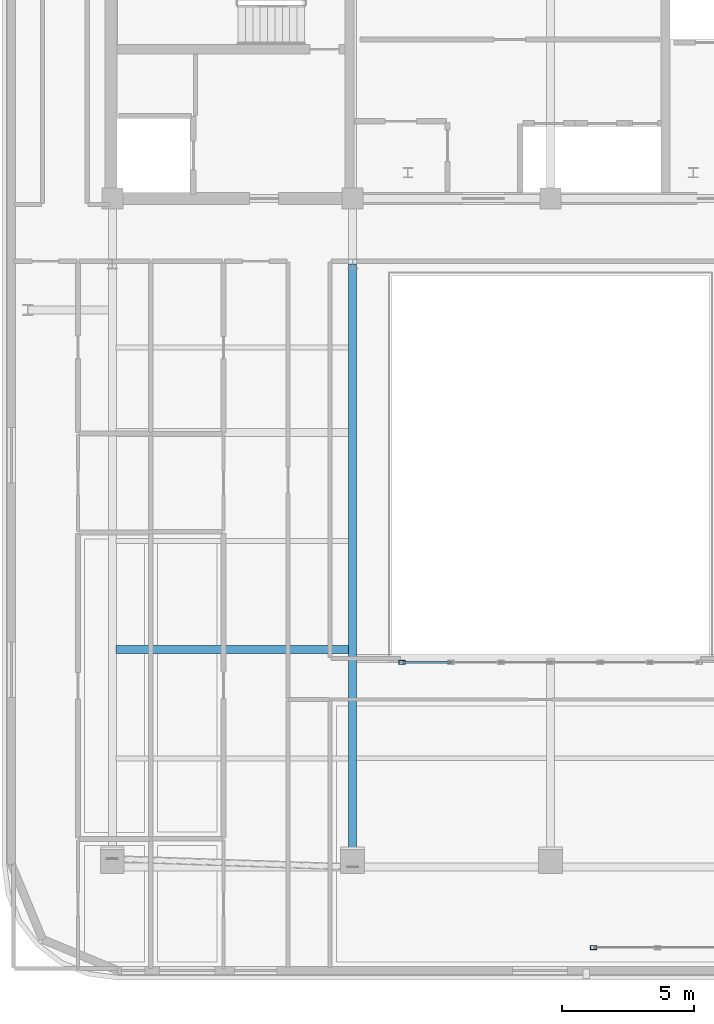
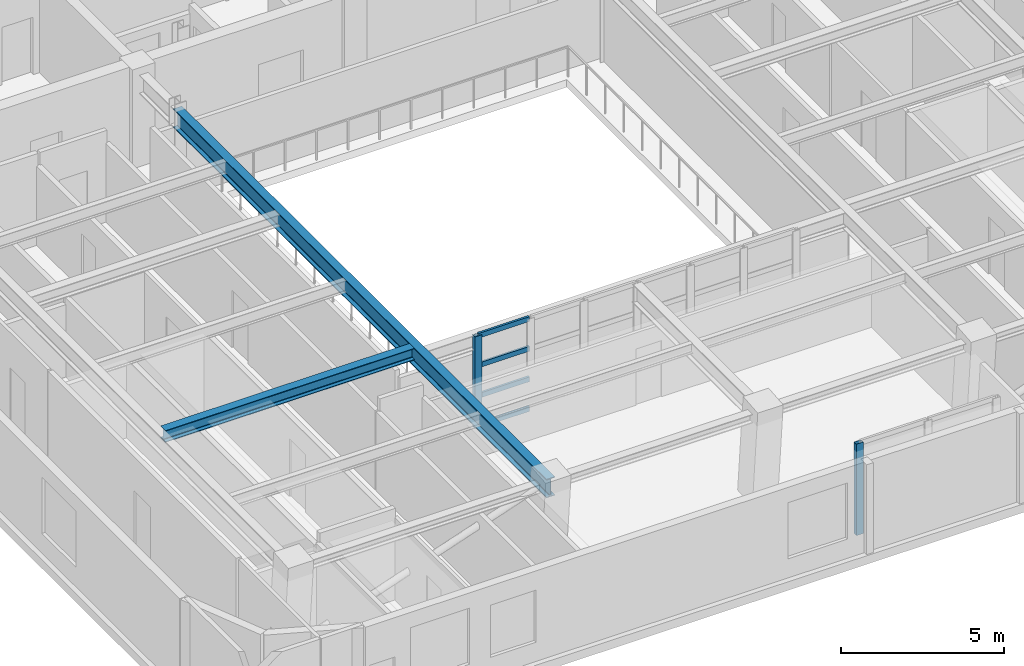
# One storey, part 2 of 14: 6 members, 2 beams, 2 elements without a shape of their own.
"""IFC4 building model written with IfcOpenShell, lengths in metres."""

import ifcopenshell
import ifcopenshell.guid

model = None  # the IFC model being written
_history = None  # IfcOwnerHistory: only IFC2X3 demands one
_inside = {}  # id of a spatial element -> (the spatial element, [elements in it])
_under = {}  # id of a project, library or spatial element -> (it, [spatial elements below it])
_declared = {}  # id of a project -> (the project, [libraries it declares])
_typed = {}  # id of a type object -> (the type object, [elements of that type])
_made_of = {}  # id of a material, layer set ... -> (it, [elements and type objects made of it])


def new_model(schema):
    """Start an empty IFC model of exactly this schema.

    Asked for "IFC4X3", IfcOpenShell would pick the latest addendum, in which some entities
    have other attributes; the version numbers below select the first issue.
    IFC2X3 requires an IfcOwnerHistory on every rooted entity: one is made here for all.
    """
    global model, _history
    if schema == "IFC4X3":
        model = ifcopenshell.file(schema_version=(4, 3, 0, 0))
    else:
        model = ifcopenshell.file(schema=schema)
    _inside.clear()
    _under.clear()
    _declared.clear()
    _typed.clear()
    _made_of.clear()
    _history = None
    if model.schema == "IFC2X3":
        org = make("IfcOrganization", Name="unknown")
        user = make(
            "IfcPersonAndOrganization",
            ThePerson=make("IfcPerson", FamilyName="unknown"),
            TheOrganization=org,
        )
        app = make(
            "IfcApplication",
            ApplicationDeveloper=org,
            Version="unknown",
            ApplicationFullName="unknown",
            ApplicationIdentifier="unknown",
        )
        _history = make(
            "IfcOwnerHistory",
            OwningUser=user,
            OwningApplication=app,
            ChangeAction="ADDED",
            CreationDate=0,
        )
    return model


def make(cls, **values):
    """One entity of the class cls with the attributes given. An attribute that is None is left unset."""
    return model.create_entity(
        cls, **{name: value for name, value in values.items() if value is not None}
    )


def rooted(cls, **values):
    """An entity with a GlobalId (a new one), such as an element, a storey or a relation."""
    return make(cls, GlobalId=ifcopenshell.guid.new(), OwnerHistory=_history, **values)


def si_unit(unit_type, name, prefix=None):
    """IfcSIUnit, for example si_unit("LENGTHUNIT", "METRE", prefix="MILLI")."""
    return make("IfcSIUnit", UnitType=unit_type, Prefix=prefix, Name=name)


def assignment(units):
    """IfcUnitAssignment: the units of a project."""
    return None if units is None else make("IfcUnitAssignment", Units=units)


def point(xyz):
    """IfcCartesianPoint."""
    return None if xyz is None else make("IfcCartesianPoint", Coordinates=xyz)


def direction(xyz):
    """IfcDirection."""
    return None if xyz is None else make("IfcDirection", DirectionRatios=xyz)


def frame(location, z_axis=None, x_axis=None):
    """IfcAxis2Placement3D, a coordinate frame: its origin and axes. An axis left out is left unset."""
    return make(
        "IfcAxis2Placement3D",
        Location=point(location),
        Axis=direction(z_axis),
        RefDirection=direction(x_axis),
    )


def frame_2d(location, x_axis=None):
    """IfcAxis2Placement2D, a coordinate frame in the plane: its origin and x axis."""
    return make(
        "IfcAxis2Placement2D", Location=point(location), RefDirection=direction(x_axis)
    )


def origin():
    """The frame at (0, 0, 0) with its axes left unset."""
    return frame((0.0, 0.0, 0.0))


def origin_2d():
    """The frame at (0, 0) in the plane with its x axis left unset."""
    return frame_2d((0.0, 0.0))


def place(relative_to, where):
    """IfcLocalPlacement: puts the frame where relative to a parent placement (None: the world)."""
    return make(
        "IfcLocalPlacement", PlacementRelTo=relative_to, RelativePlacement=where
    )


def context(
    kind, dimensions, precision=None, world=None, true_north=None, identifier=None
):
    """IfcGeometricRepresentationContext, for example the 3D "Model" context."""
    return make(
        "IfcGeometricRepresentationContext",
        ContextIdentifier=identifier,
        ContextType=kind,
        CoordinateSpaceDimension=dimensions,
        Precision=precision,
        WorldCoordinateSystem=world,
        TrueNorth=true_north,
    )


def subcontext(parent, identifier, kind, view, scale=None):
    """IfcGeometricRepresentationSubContext, for example "Body" below "Model"."""
    return make(
        "IfcGeometricRepresentationSubContext",
        ContextIdentifier=identifier,
        ContextType=kind,
        ParentContext=parent,
        TargetScale=scale,
        TargetView=view,
    )


def project(units=None, contexts=None):
    """IfcProject with its units and contexts."""
    return rooted(
        "IfcProject",
        Name="project",
        RepresentationContexts=contexts,
        UnitsInContext=assignment(units),
    )


def spatial(cls, under=None, at=None, **own):
    """A site, building, storey or space (cls), placed at a placement, below another one or the project."""
    s = rooted(cls, ObjectPlacement=at, **own)
    if under is not None:
        _under.setdefault(under.id(), (under, []))[1].append(s)
    return s


def profile(cls, at=None, kind="AREA", **sizes):
    """A parametric profile (cls). Its sizes go by their IFC names, for example OverallWidth=200.0."""
    return make(cls, ProfileType=kind, Position=at, **sizes)


def hollow_rectangle(**sizes):
    """IfcRectangleHollowProfileDef."""
    return profile("IfcRectangleHollowProfileDef", **sizes)


def i_section(**sizes):
    """IfcIShapeProfileDef."""
    return profile("IfcIShapeProfileDef", **sizes)


def extrude(swept, where, along, depth):
    """IfcExtrudedAreaSolid: the profile swept, set in the frame where, extruded along a direction by depth."""
    return make(
        "IfcExtrudedAreaSolid",
        SweptArea=swept,
        Position=where,
        ExtrudedDirection=direction(along),
        Depth=depth,
    )


def shape(context_of_items, identifier, shape_type, items):
    """IfcShapeRepresentation: the items that make up one representation, for example the "Body"."""
    return make(
        "IfcShapeRepresentation",
        ContextOfItems=context_of_items,
        RepresentationIdentifier=identifier,
        RepresentationType=shape_type,
        Items=items,
    )


def material(Name=None, Category=None):
    """IfcMaterial."""
    return make("IfcMaterial", Name=Name, Category=Category)


def layer(
    of_material, thickness, ventilated=None, Name=None, Category=None, Priority=None
):
    """IfcMaterialLayer: one layer of a wall or slab, of a material (None: an air gap)."""
    return make(
        "IfcMaterialLayer",
        Material=of_material,
        LayerThickness=thickness,
        IsVentilated=ventilated,
        Name=Name,
        Category=Category,
        Priority=Priority,
    )


def layer_set(layers, Name=None):
    """IfcMaterialLayerSet."""
    return make("IfcMaterialLayerSet", MaterialLayers=layers, LayerSetName=Name)


def material_profile(
    of_material, cross_section, Name=None, Category=None, Priority=None
):
    """IfcMaterialProfile: a cross section and its material."""
    return make(
        "IfcMaterialProfile",
        Name=Name,
        Material=of_material,
        Profile=cross_section,
        Priority=Priority,
        Category=Category,
    )


def profile_set(profiles, Name=None, composite=None):
    """IfcMaterialProfileSet."""
    return make(
        "IfcMaterialProfileSet",
        Name=Name,
        MaterialProfiles=profiles,
        CompositeProfile=composite,
    )


def made_of(thing, what):
    """Note that an element or type object is made of a material, layer set ...; save() writes the relation."""
    if what is not None:
        _made_of.setdefault(what.id(), (what, []))[1].append(thing)
    return thing


def type_object(cls, material=None, **own):
    """A type object (cls), such as IfcWallType, which elements share."""
    return made_of(rooted(cls, **own), material)


def element(
    cls,
    number,
    at=None,
    inside=None,
    cuts=None,
    type_object=None,
    material=None,
    context=None,
    identifier="Body",
    shape_type=None,
    held_by="IfcProductDefinitionShape",
    body=None,
    shapes=None,
    **own,
):
    """One element of the class cls, such as IfcWall. Its Tag is "e" and its number.

    at: its placement. inside: the storey or other place that contains it. cuts: it is an
    opening in that element (IfcRelVoidsElement). A single representation is given by context,
    identifier, shape_type and body (its items); several are given by shapes. held_by: the class
    of the entity that holds the representations. save() writes the other relations.
    """
    e = rooted(cls, Tag="e%d" % number, ObjectPlacement=at, **own)
    if body is not None:
        shapes = [shape(context, identifier, shape_type, body)]
    if shapes is not None:
        e.Representation = make(held_by, Representations=shapes)
    if inside is not None:
        _inside.setdefault(inside.id(), (inside, []))[1].append(e)
    if cuts is not None:
        rooted(
            "IfcRelVoidsElement", RelatingBuildingElement=cuts, RelatedOpeningElement=e
        )
    if type_object is not None:
        _typed.setdefault(type_object.id(), (type_object, []))[1].append(e)
    return made_of(e, material)


def aggregate(whole, parts):
    """IfcRelAggregates: a whole, such as a stair, and the parts it consists of."""
    return rooted("IfcRelAggregates", RelatingObject=whole, RelatedObjects=parts)


def save(model, path):
    """Write the relations noted so far, then the file.

    IfcRelAggregates (storeys below a building ...), IfcRelContainedInSpatialStructure (elements
    in a storey), IfcRelDefinesByType, IfcRelAssociatesMaterial and IfcRelDeclares: one each for
    every whole, place, type object, material and project.
    """
    for whole, parts in _under.values():
        aggregate(whole, parts)
    for where, things in _inside.values():
        rooted(
            "IfcRelContainedInSpatialStructure",
            RelatedElements=things,
            RelatingStructure=where,
        )
    for kind, things in _typed.values():
        rooted("IfcRelDefinesByType", RelatedObjects=things, RelatingType=kind)
    for what, things in _made_of.values():
        rooted("IfcRelAssociatesMaterial", RelatedObjects=things, RelatingMaterial=what)
    for by, libraries in _declared.values():
        rooted("IfcRelDeclares", RelatingContext=by, RelatedDefinitions=libraries)
    model.write(path)


model = new_model("IFC4")

# Units and contexts
model_context = context("Model", 3, precision=1e-05, world=origin(), true_north=direction((0.0, 1.0)))
body_context = subcontext(model_context, "Body", "Model", "MODEL_VIEW")
ifc_project = project(units=[si_unit("LENGTHUNIT", "METRE"), si_unit("AREAUNIT", "SQUARE_METRE"), si_unit("VOLUMEUNIT", "CUBIC_METRE"), si_unit("PLANEANGLEUNIT", "RADIAN"), si_unit("MASSUNIT", "GRAM", prefix="KILO")], contexts=[model_context])

# Site, building, storey
site_placement = place(None, origin())
site = spatial("IfcSite", under=ifc_project, at=site_placement, CompositionType="ELEMENT")
building_placement = place(site_placement, origin())
building = spatial("IfcBuilding", under=site, at=building_placement, Name="Zarnavel Station Tower", CompositionType="ELEMENT")
storey_placement = place(building_placement, frame((0.0, 0.0, 258.39990234375)))
storey = spatial("IfcBuildingStorey", under=building, at=storey_placement, Name="L70", CompositionType="ELEMENT", Elevation=258.39990234375)

# Curtain wall, member
ifc_material_1 = material(Name="Aluminium Dark Anodised and Solar-Control Glass", Category="aluminium")
ifc_layer = layer(ifc_material_1, 0.179931640625)
ifc_layer_set = layer_set([ifc_layer], Name="CWS6")
curtain_wall_type = type_object("IfcCurtainWallType", Name="CWS6", PredefinedType="NOTDEFINED", material=ifc_layer_set)
curtain_wall_1_placement = place(storey_placement, origin())
curtain_wall_1 = element("IfcCurtainWall", 1, at=curtain_wall_1_placement, inside=storey, type_object=curtain_wall_type, Name="L70 Curtain Wall CWS6-LOG-L70", PredefinedType="NOTDEFINED")
ifc_material_2 = material(Name="Steel S355J2 (Black Fluoropolymer Coated)", Category="steel")
ifc_material_profile_1 = material_profile(ifc_material_2, hollow_rectangle(XDim=0.14990234375, YDim=0.25, WallThickness=0.010009765625, at=origin_2d()), Name="RHS250x150x10")
ifc_profile_set_1 = profile_set([ifc_material_profile_1], Name="Steel S355J2 (Black Fluoropolymer Coated)")
member_type_1 = type_object("IfcMemberType", Name="CWS6_MUL", PredefinedType="MULLION", material=ifc_profile_set_1)
member_1_placement = place(storey_placement, frame((30.429931640625, -0.550048828125, 0.0), z_axis=(0.0, 0.0, 1.0), x_axis=(0.0, 1.0, 0.0)))
member_1 = element("IfcMember", 2, at=member_1_placement, type_object=member_type_1, Name="CW6 mullion 1", PredefinedType="MULLION", context=body_context, shape_type="SweptSolid", body=[
    extrude(hollow_rectangle(XDim=0.14990234375, YDim=0.25, WallThickness=0.010009765625, at=origin_2d()), origin(), (0.0, 0.0, 1.0), 3.420166015625),
])
aggregate(curtain_wall_1, [member_1])

# Curtain wall, members
curtain_wall_2_placement = place(storey_placement, origin())
curtain_wall_2 = element("IfcCurtainWall", 3, at=curtain_wall_2_placement, inside=storey, type_object=curtain_wall_type, Name="L70 Curtain Wall CWS6-L70-AS", PredefinedType="NOTDEFINED")
member_2_placement = place(storey_placement, frame((23.179931640625, 10.25, 0.0), z_axis=(0.0, 0.0, 1.0), x_axis=(0.0, 1.0, 0.0)))
member_2 = element("IfcMember", 4, at=member_2_placement, type_object=member_type_1, Name="CW6 mullion 1", PredefinedType="MULLION", context=body_context, shape_type="SweptSolid", body=[
    extrude(hollow_rectangle(XDim=0.14990234375, YDim=0.25, WallThickness=0.010009765625, at=origin_2d()), origin(), (0.0, 0.0, 1.0), 3.420166015625),
])
ifc_material_3 = material(Name="Steel S355J2 (Black Fluoropolymer Coated)", Category="steel")
ifc_material_profile_2 = material_profile(ifc_material_3, hollow_rectangle(XDim=0.080078125, YDim=0.179931640625, WallThickness=0.00634765625, at=origin_2d()), Name="RHS180x80x6.3")
ifc_profile_set_2 = profile_set([ifc_material_profile_2], Name="Steel S355J2 (Black Fluoropolymer Coated)")
member_type_2 = type_object("IfcMemberType", Name="CWS6_TRN", PredefinedType="USERDEFINED", material=ifc_profile_set_2)
member_3_placement = place(storey_placement, frame((23.2099609375, 10.25, 0.030029296875), z_axis=(1.0, 0.0, 0.0), x_axis=(0.0, 1.0, 0.0)))
member_3 = element("IfcMember", 5, at=member_3_placement, type_object=member_type_2, Name="CW6 transom 1.1", ObjectType="TRANSOM", PredefinedType="USERDEFINED", context=body_context, shape_type="SweptSolid", body=[
    extrude(hollow_rectangle(XDim=0.080078125, YDim=0.179931640625, WallThickness=0.00634765625, at=origin_2d()), origin(), (0.0, 0.0, 1.0), 1.79345703125),
])
member_4_placement = place(storey_placement, frame((23.2099609375, 10.25, 1.14013671875), z_axis=(1.0, 0.0, 0.0), x_axis=(0.0, 1.0, 0.0)))
member_4 = element("IfcMember", 6, at=member_4_placement, type_object=member_type_2, Name="CW6 transom 1.2", ObjectType="TRANSOM", PredefinedType="USERDEFINED", context=body_context, shape_type="SweptSolid", body=[
    extrude(hollow_rectangle(XDim=0.080078125, YDim=0.179931640625, WallThickness=0.00634765625, at=origin_2d()), origin(), (0.0, 0.0, 1.0), 1.79345703125),
])
member_5_placement = place(storey_placement, frame((23.2099609375, 10.25, 2.280029296875), z_axis=(1.0, 0.0, 0.0), x_axis=(0.0, 1.0, 0.0)))
member_5 = element("IfcMember", 7, at=member_5_placement, type_object=member_type_2, Name="CW6 transom 1.3", ObjectType="TRANSOM", PredefinedType="USERDEFINED", context=body_context, shape_type="SweptSolid", body=[
    extrude(hollow_rectangle(XDim=0.080078125, YDim=0.179931640625, WallThickness=0.00634765625, at=origin_2d()), origin(), (0.0, 0.0, 1.0), 1.79345703125),
])
member_6_placement = place(storey_placement, frame((23.2099609375, 10.25, 3.39013671875), z_axis=(1.0, 0.0, 0.0), x_axis=(0.0, 1.0, 0.0)))
member_6 = element("IfcMember", 8, at=member_6_placement, type_object=member_type_2, Name="CW6 transom 1.4", ObjectType="TRANSOM", PredefinedType="USERDEFINED", context=body_context, shape_type="SweptSolid", body=[
    extrude(hollow_rectangle(XDim=0.080078125, YDim=0.179931640625, WallThickness=0.00634765625, at=origin_2d()), origin(), (0.0, 0.0, 1.0), 1.79345703125),
])
aggregate(curtain_wall_2, [member_2, member_3, member_4, member_5, member_6])

# Beams
ifc_material_4 = material(Name="Steel S355J2", Category="steel")
ifc_material_profile_3 = material_profile(ifc_material_4, i_section(OverallWidth=0.300048828125, OverallDepth=0.43994140625, WebThickness=0.011474609375, FlangeThickness=0.02099609375, FilletRadius=0.027099609375, at=origin_2d()), Name="HEA450")
ifc_profile_set_3 = profile_set([ifc_material_profile_3], Name="Steel S355J2")
beam_type_1 = type_object("IfcBeamType", Name="FB_HEA450", PredefinedType="BEAM", material=ifc_profile_set_3)
beam_1_placement = place(storey_placement, frame((12.344970703125, 10.734619140625, 3.2001953125), z_axis=(1.0, 0.0, 0.0), x_axis=(0.0, 1.0, 0.0)))
element("IfcBeam", 9, at=beam_1_placement, inside=storey, type_object=beam_type_1, Name="L70 West Bay Beam 2", PredefinedType="BEAM", context=body_context, shape_type="SweptSolid", body=[
    extrude(i_section(OverallWidth=0.300048828125, OverallDepth=0.43994140625, WebThickness=0.011474609375, FlangeThickness=0.02099609375, FilletRadius=0.027099609375, at=origin_2d()), origin(), (0.0, 0.0, 1.0), 8.81005859375),
])
ifc_material_5 = material(Name="Steel S355J2", Category="steel")
ifc_material_profile_4 = material_profile(ifc_material_5, i_section(OverallWidth=0.300048828125, OverallDepth=0.699951171875, WebThickness=0.01708984375, FlangeThickness=0.031982421875, FilletRadius=0.027099609375, at=origin_2d()), Name="HEB700")
ifc_profile_set_4 = profile_set([ifc_material_profile_4], Name="Steel S355J2")
beam_type_2 = type_object("IfcBeamType", Name="FG_HEB700", PredefinedType="USERDEFINED", material=ifc_profile_set_4)
beam_2_placement = place(storey_placement, frame((21.300048828125, 2.501708984375, 3.070068359375), z_axis=(0.0, 1.0, 0.0), x_axis=(-1.0, 0.0, 0.0)))
element("IfcBeam", 10, at=beam_2_placement, inside=storey, type_object=beam_type_2, Name="L70 South-Zone NS Girder 2", ObjectType="GIRDER", PredefinedType="USERDEFINED", context=body_context, shape_type="SweptSolid", body=[
    extrude(i_section(OverallWidth=0.300048828125, OverallDepth=0.699951171875, WebThickness=0.01708984375, FlangeThickness=0.031982421875, FilletRadius=0.027099609375, at=origin_2d()), origin(), (0.0, 0.0, 1.0), 22.848388671875),
])

save(model, "model.ifc")
